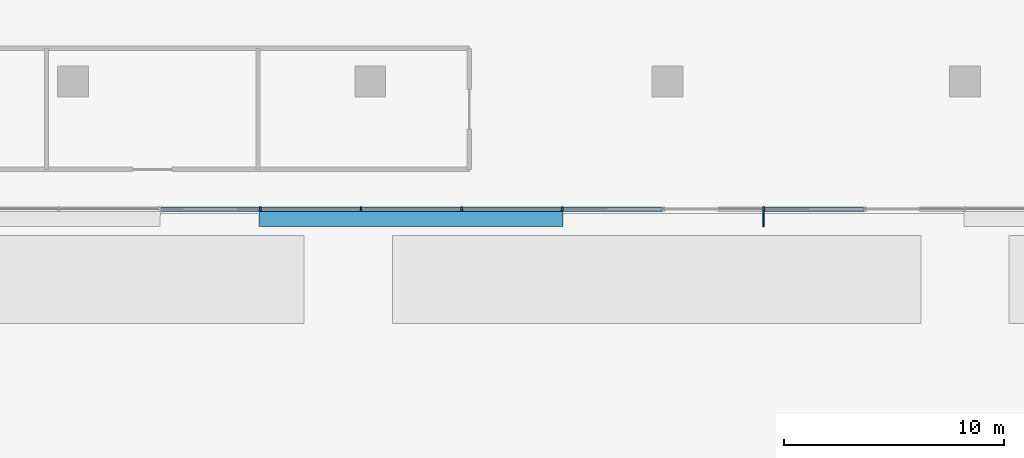
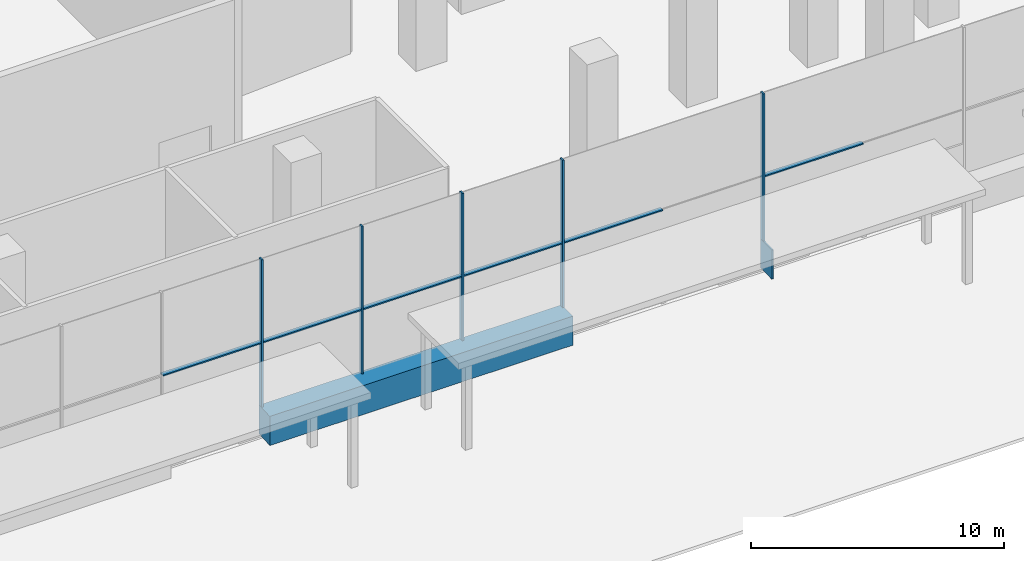
# One storey, part 3 of 54: 13 members, 1 element without a shape of its own.
"""IFC4 building model written with IfcOpenShell, lengths in metres."""

from ifc_helpers import new_model, si_unit, direction, frame, origin, origin_2d, place, context, subcontext, project, spatial, polyline, rectangle, outline, extrude, material, layer, layer_set, material_profile, profile_set, type_object, element, aggregate, save


model = new_model("IFC4")

# Units and contexts
model_context = context("Model", 3, precision=1e-05, world=origin(), true_north=direction((0.0, 1.0)))
body_context = subcontext(model_context, "Body", "Model", "MODEL_VIEW")
ifc_project = project(units=[si_unit("LENGTHUNIT", "METRE"), si_unit("AREAUNIT", "SQUARE_METRE"), si_unit("VOLUMEUNIT", "CUBIC_METRE"), si_unit("PLANEANGLEUNIT", "RADIAN"), si_unit("MASSUNIT", "GRAM", prefix="KILO")], contexts=[model_context])

# Site, building, storey
site_placement = place(None, origin())
site = spatial("IfcSite", under=ifc_project, at=site_placement, CompositionType="ELEMENT")
building_placement = place(site_placement, origin())
building = spatial("IfcBuilding", under=site, at=building_placement, Name="Tamarind Cross Interchange Tower", CompositionType="ELEMENT")
storey_placement = place(building_placement, origin())
storey = spatial("IfcBuildingStorey", under=building, at=storey_placement, Name="L00", CompositionType="ELEMENT", Elevation=0.0)

# Curtain wall, members
ifc_material_1 = material(Name="Aluminium 6063-T6", Category="aluminium")
ifc_layer = layer(ifc_material_1, 0.199951171875)
ifc_layer_set = layer_set([ifc_layer], Name="Aluminium 6063-T6")
curtain_wall_type = type_object("IfcCurtainWallType", Name="Podium shopfront and station curtain wall", PredefinedType="NOTDEFINED", material=ifc_layer_set)
curtain_wall_placement = place(storey_placement, origin())
curtain_wall = element("IfcCurtainWall", 1, at=curtain_wall_placement, inside=storey, type_object=curtain_wall_type, Name="CWS-L00-06", PredefinedType="NOTDEFINED")
ifc_material_2 = material(Name="Aluminium and insulated spandrel panel", Category="aluminium")
member_type_1 = type_object("IfcMemberType", Name="Floor-edge blade transom", PredefinedType="USERDEFINED", material=ifc_material_2)
member_1_placement = place(storey_placement, origin())
member_1 = element("IfcMember", 2, at=member_1_placement, type_object=member_type_1, Name="CWT-L00-06-2", ObjectType="TRANSOM", PredefinedType="USERDEFINED", context=body_context, shape_type="SweptSolid", body=[
    extrude(outline(polyline([(-32.028076171875, -59.699951171875), (-18.239013671875, -59.699951171875), (-18.25927734375, -60.60009765625), (-32.063720703125, -60.60009765625), (-32.028076171875, -59.699951171875)])), origin(), (0.0, 0.0, 1.0), 1.39990234375),
])
member_2_placement = place(storey_placement, origin())
member_2 = element("IfcMember", 3, at=member_2_placement, type_object=member_type_1, Name="CWT-L00-06-3", ObjectType="TRANSOM", PredefinedType="USERDEFINED", context=body_context, shape_type="SweptSolid", body=[
    extrude(outline(polyline([(-9.179443359375, -59.699951171875), (-9.099609375, -59.699951171875), (-9.109619140625, -60.60009765625), (-9.189697265625, -60.60009765625), (-9.179443359375, -59.699951171875)])), origin(), (0.0, 0.0, 1.0), 1.39990234375),
])
ifc_material_profile = material_profile(ifc_material_1, rectangle(XDim=0.080078125, YDim=0.199951171875, at=origin_2d()), Name="Mullion CW3")
ifc_profile_set = profile_set([ifc_material_profile], Name="Aluminium 6063-T6")
member_type_2 = type_object("IfcMemberType", Name="Mullion CW3", PredefinedType="MULLION", material=ifc_profile_set)
member_3_placement = place(storey_placement, frame((-31.9921875, -59.800048828125, 1.39990234375), z_axis=(0.0, 0.0, 1.0), x_axis=(1.0, 0.0, 0.0)))
member_3 = element("IfcMember", 4, at=member_3_placement, type_object=member_type_2, Name="CWM-L00-06-07", PredefinedType="MULLION", context=body_context, shape_type="SweptSolid", body=[
    extrude(rectangle(XDim=0.080078125, YDim=0.199951171875, at=origin_2d()), origin(), (0.0, 0.0, 1.0), 7.10009765625),
])
member_4_placement = place(storey_placement, frame((-27.421875, -59.800048828125, 1.39990234375), z_axis=(0.0, 0.0, 1.0), x_axis=(1.0, 0.0, 0.0)))
member_4 = element("IfcMember", 5, at=member_4_placement, type_object=member_type_2, Name="CWM-L00-06-08", PredefinedType="MULLION", context=body_context, shape_type="SweptSolid", body=[
    extrude(rectangle(XDim=0.080078125, YDim=0.199951171875, at=origin_2d()), origin(), (0.0, 0.0, 1.0), 7.10009765625),
])
member_5_placement = place(storey_placement, frame((-22.8515625, -59.800048828125, 1.39990234375), z_axis=(0.0, 0.0, 1.0), x_axis=(1.0, 0.0, 0.0)))
member_5 = element("IfcMember", 6, at=member_5_placement, type_object=member_type_2, Name="CWM-L00-06-09", PredefinedType="MULLION", context=body_context, shape_type="SweptSolid", body=[
    extrude(rectangle(XDim=0.080078125, YDim=0.199951171875, at=origin_2d()), origin(), (0.0, 0.0, 1.0), 7.10009765625),
])
member_6_placement = place(storey_placement, frame((-18.28125, -59.800048828125, 1.39990234375), z_axis=(0.0, 0.0, 1.0), x_axis=(1.0, 0.0, 0.0)))
member_6 = element("IfcMember", 7, at=member_6_placement, type_object=member_type_2, Name="CWM-L00-06-10", PredefinedType="MULLION", context=body_context, shape_type="SweptSolid", body=[
    extrude(rectangle(XDim=0.080078125, YDim=0.199951171875, at=origin_2d()), origin(), (0.0, 0.0, 1.0), 7.10009765625),
])
member_7_placement = place(storey_placement, frame((-9.140625, -59.800048828125, 1.39990234375), z_axis=(0.0, 0.0, 1.0), x_axis=(1.0, 0.0, 0.0)))
member_7 = element("IfcMember", 8, at=member_7_placement, type_object=member_type_2, Name="CWM-L00-06-12", PredefinedType="MULLION", context=body_context, shape_type="SweptSolid", body=[
    extrude(rectangle(XDim=0.080078125, YDim=0.199951171875, at=origin_2d()), origin(), (0.0, 0.0, 1.0), 7.10009765625),
])
member_type_3 = type_object("IfcMemberType", Name="Podium intermediate transom", PredefinedType="USERDEFINED", material=ifc_material_1)
member_8_placement = place(storey_placement, frame((0.0, 0.0, 4.469970703125)))
member_8 = element("IfcMember", 9, at=member_8_placement, type_object=member_type_3, Name="CWT-L00-06-I0-06", ObjectType="TRANSOM", PredefinedType="USERDEFINED", context=body_context, shape_type="SweptSolid", body=[
    extrude(outline(polyline([(-36.5224609375, -59.699951171875), (-32.0322265625, -59.699951171875), (-32.0322265625, -59.89990234375), (-36.5224609375, -59.89990234375), (-36.5224609375, -59.699951171875)])), origin(), (0.0, 0.0, 1.0), 0.06005859375),
])
member_9_placement = place(storey_placement, frame((0.0, 0.0, 4.469970703125)))
member_9 = element("IfcMember", 10, at=member_9_placement, type_object=member_type_3, Name="CWT-L00-06-I0-07", ObjectType="TRANSOM", PredefinedType="USERDEFINED", context=body_context, shape_type="SweptSolid", body=[
    extrude(outline(polyline([(-31.9521484375, -59.699951171875), (-27.4619140625, -59.699951171875), (-27.4619140625, -59.89990234375), (-31.9521484375, -59.89990234375), (-31.9521484375, -59.699951171875)])), origin(), (0.0, 0.0, 1.0), 0.06005859375),
])
member_10_placement = place(storey_placement, frame((0.0, 0.0, 4.469970703125)))
member_10 = element("IfcMember", 11, at=member_10_placement, type_object=member_type_3, Name="CWT-L00-06-I0-08", ObjectType="TRANSOM", PredefinedType="USERDEFINED", context=body_context, shape_type="SweptSolid", body=[
    extrude(outline(polyline([(-27.3818359375, -59.699951171875), (-22.8916015625, -59.699951171875), (-22.8916015625, -59.89990234375), (-27.3818359375, -59.89990234375), (-27.3818359375, -59.699951171875)])), origin(), (0.0, 0.0, 1.0), 0.06005859375),
])
member_11_placement = place(storey_placement, frame((0.0, 0.0, 4.469970703125)))
member_11 = element("IfcMember", 12, at=member_11_placement, type_object=member_type_3, Name="CWT-L00-06-I0-09", ObjectType="TRANSOM", PredefinedType="USERDEFINED", context=body_context, shape_type="SweptSolid", body=[
    extrude(outline(polyline([(-22.8115234375, -59.699951171875), (-18.3212890625, -59.699951171875), (-18.3212890625, -59.89990234375), (-22.8115234375, -59.89990234375), (-22.8115234375, -59.699951171875)])), origin(), (0.0, 0.0, 1.0), 0.06005859375),
])
member_12_placement = place(storey_placement, frame((0.0, 0.0, 4.469970703125)))
member_12 = element("IfcMember", 13, at=member_12_placement, type_object=member_type_3, Name="CWT-L00-06-I0-10", ObjectType="TRANSOM", PredefinedType="USERDEFINED", context=body_context, shape_type="SweptSolid", body=[
    extrude(outline(polyline([(-18.2412109375, -59.699951171875), (-13.7509765625, -59.699951171875), (-13.7509765625, -59.89990234375), (-18.2412109375, -59.89990234375), (-18.2412109375, -59.699951171875)])), origin(), (0.0, 0.0, 1.0), 0.06005859375),
])
member_13_placement = place(storey_placement, frame((0.0, 0.0, 4.469970703125)))
member_13 = element("IfcMember", 14, at=member_13_placement, type_object=member_type_3, Name="CWT-L00-06-I0-12", ObjectType="TRANSOM", PredefinedType="USERDEFINED", context=body_context, shape_type="SweptSolid", body=[
    extrude(outline(polyline([(-9.1005859375, -59.699951171875), (-4.6103515625, -59.699951171875), (-4.6103515625, -59.89990234375), (-9.1005859375, -59.89990234375), (-9.1005859375, -59.699951171875)])), origin(), (0.0, 0.0, 1.0), 0.06005859375),
])
aggregate(curtain_wall, [member_3, member_4, member_5, member_6, member_7, member_8, member_9, member_10, member_11, member_12, member_13, member_1, member_2])

save(model, "model.ifc")
